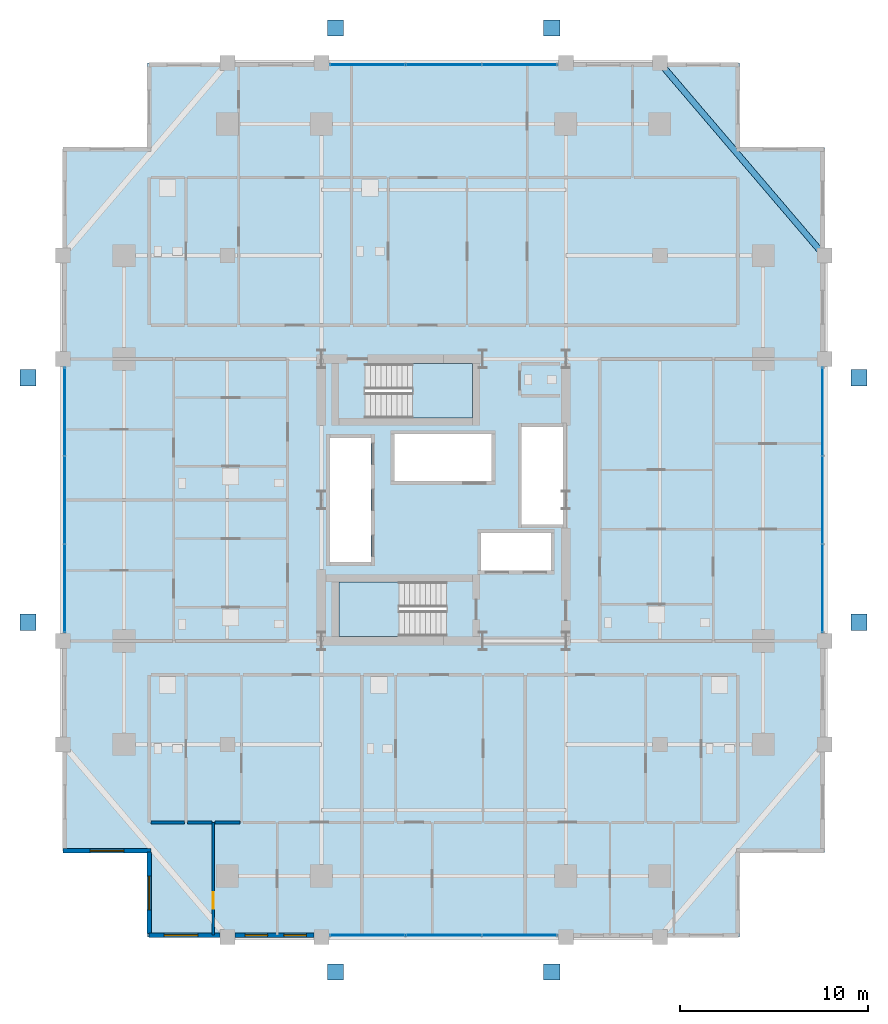
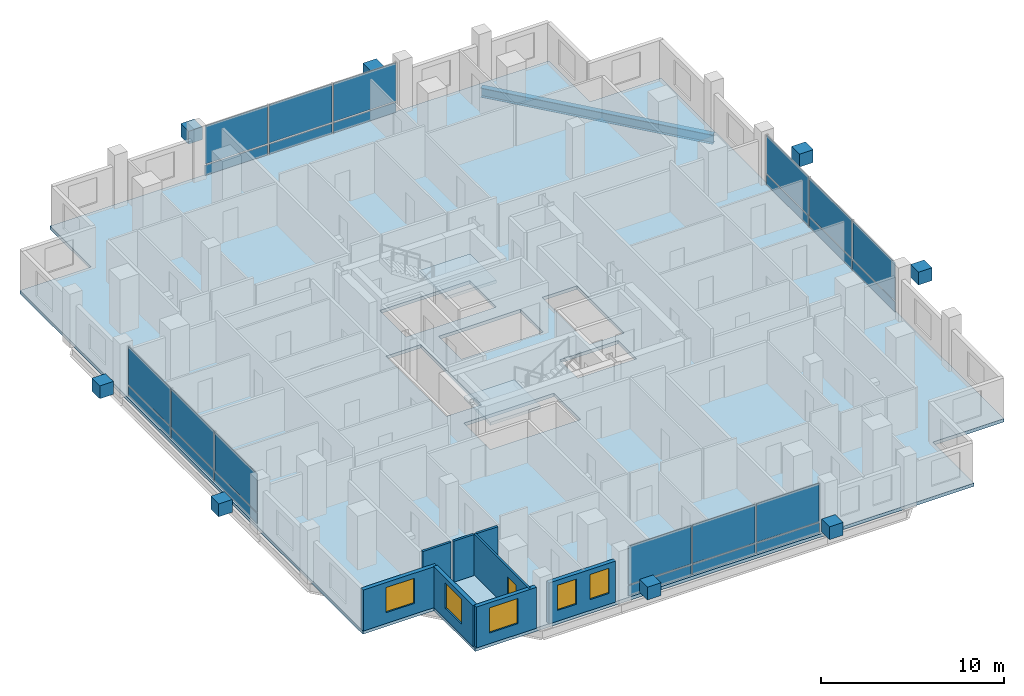
# One storey, part 13 of 20: 32 plates, 8 walls, 5 windows, 3 slabs, 1 beam, 1 door, 6 openings, 6 elements without a shape of their own.
"""IFC4 building model written with IfcOpenShell, lengths in metres."""

from ifc_helpers import new_model, si_unit, direction, frame, frame_2d, origin, origin_2d, place, context, subcontext, project, spatial, polyline, rectangle, i_section, outline, extrude, material, layer, layer_set, material_profile, profile_set, type_object, element, fill, aggregate, save


model = new_model("IFC4")

# Units and contexts
model_context = context("Model", 3, precision=1e-05, world=origin(), true_north=direction((0.0, 1.0)))
body_context = subcontext(model_context, "Body", "Model", "MODEL_VIEW")
ifc_project = project(units=[si_unit("LENGTHUNIT", "METRE"), si_unit("AREAUNIT", "SQUARE_METRE"), si_unit("VOLUMEUNIT", "CUBIC_METRE"), si_unit("PLANEANGLEUNIT", "RADIAN"), si_unit("MASSUNIT", "GRAM", prefix="KILO")], contexts=[model_context])

# Site, building, storey
site_placement = place(None, origin())
site = spatial("IfcSite", under=ifc_project, at=site_placement, CompositionType="ELEMENT")
building_placement = place(site_placement, origin())
building = spatial("IfcBuilding", under=site, at=building_placement, Name="Barlavira Tower and Art Museum", CompositionType="ELEMENT")
storey_placement = place(building_placement, frame((0.0, 0.0, 102.60009765625)))
storey = spatial("IfcBuildingStorey", under=building, at=storey_placement, Name="L25", CompositionType="ELEMENT", Elevation=102.60009765625)

# Beam
ifc_material_1 = material(Name="Steel S355", Category="steel")
ifc_material_profile = material_profile(ifc_material_1, i_section(OverallWidth=0.327880859375, OverallDepth=0.62890625, WebThickness=0.013916015625, FlangeThickness=0.021484375, at=origin_2d()), Name="W610x174.0")
ifc_profile_set = profile_set([ifc_material_profile], Name="Steel S355")
beam_type = type_object("IfcBeamType", Name="Perimeter Spandrel Edge Beam W610x174 Steel S355", PredefinedType="SPANDREL", material=ifc_profile_set)
beam_placement = place(storey_placement, frame((20.25, 13.0, -0.53466796875), z_axis=(-0.649262379928, 0.760564502202, 0.0), x_axis=(-0.760564502202, -0.649262379928, 0.0)))
element("IfcBeam", 1, at=beam_placement, inside=storey, type_object=beam_type, Name="L25 Spandrel 8", PredefinedType="SPANDREL", context=body_context, shape_type="SweptSolid", body=[
    extrude(i_section(OverallWidth=0.327880859375, OverallDepth=0.62890625, WebThickness=0.013916015625, FlangeThickness=0.021484375, at=origin_2d()), origin(), (0.0, 0.0, 1.0), 13.476806640625),
])

# Curtain wall, plates
ifc_material_2 = material(Name="Low-iron coastal laminated glass", Category="glass")
ifc_layer_1 = layer(ifc_material_2, 0.18994140625, Name="Low-iron coastal laminated glass")
ifc_layer_set_1 = layer_set([ifc_layer_1], Name="Low-iron coastal laminated glass")
curtain_wall_type = type_object("IfcCurtainWallType", Name="Pale-Metal Unitised Curtain Wall Zone 2", PredefinedType="NOTDEFINED", material=ifc_layer_set_1)
curtain_wall_1_placement = place(storey_placement, origin())
curtain_wall_1 = element("IfcCurtainWall", 2, at=curtain_wall_1_placement, inside=storey, type_object=curtain_wall_type, Name="L25 Curtain Wall CW2-L25-S-B3", PredefinedType="NOTDEFINED")
ifc_material_3 = material(Name="Pale anodised aluminium", Category="aluminium")
ifc_layer_2 = layer(ifc_material_3, 0.044921875, Name="Pale anodised aluminium")
ifc_layer_set_2 = layer_set([ifc_layer_2], Name="Pale anodised aluminium")
plate_type_1 = type_object("IfcPlateType", Name="Curtain Wall Pale-Metal Spandrel Panel 45", PredefinedType="CURTAIN_PANEL", material=ifc_layer_set_2)
plate_1_placement = place(storey_placement, frame((-4.05322265625, -23.14990234375, 0.039794921875), z_axis=(0.0, 0.0, 1.0), x_axis=(1.0, 0.0, 0.0)))
plate_1 = element("IfcPlate", 3, at=plate_1_placement, type_object=plate_type_1, Name="CW2-L25-S-B3 Spandrel Panel 0", PredefinedType="CURTAIN_PANEL", context=body_context, shape_type="SweptSolid", body=[
    extrude(rectangle(XDim=3.953369140625, YDim=0.044921875, at=origin_2d()), origin(), (0.0, 0.0, 1.0), 0.6640625),
])
plate_2_placement = place(storey_placement, frame((0.0, -23.14990234375, 0.039794921875), z_axis=(0.0, 0.0, 1.0), x_axis=(1.0, 0.0, 0.0)))
plate_2 = element("IfcPlate", 4, at=plate_2_placement, type_object=plate_type_1, Name="CW2-L25-S-B3 Spandrel Panel 1", PredefinedType="CURTAIN_PANEL", context=body_context, shape_type="SweptSolid", body=[
    extrude(rectangle(XDim=3.953369140625, YDim=0.044921875, at=origin_2d()), origin(), (0.0, 0.0, 1.0), 0.6640625),
])
plate_3_placement = place(storey_placement, frame((4.05322265625, -23.14990234375, 0.039794921875), z_axis=(0.0, 0.0, 1.0), x_axis=(1.0, 0.0, 0.0)))
plate_3 = element("IfcPlate", 5, at=plate_3_placement, type_object=plate_type_1, Name="CW2-L25-S-B3 Spandrel Panel 2", PredefinedType="CURTAIN_PANEL", context=body_context, shape_type="SweptSolid", body=[
    extrude(rectangle(XDim=3.953369140625, YDim=0.044921875, at=origin_2d()), origin(), (0.0, 0.0, 1.0), 0.6640625),
])

curtain_wall_2_placement = place(storey_placement, origin())
curtain_wall_2 = element("IfcCurtainWall", 6, at=curtain_wall_2_placement, inside=storey, type_object=curtain_wall_type, Name="L25 Curtain Wall CW2-L25-N-B3", PredefinedType="NOTDEFINED")
plate_4_placement = place(storey_placement, frame((4.05322265625, 23.14990234375, 0.039794921875), z_axis=(0.0, 0.0, 1.0), x_axis=(-1.0, 0.0, 0.0)))
plate_4 = element("IfcPlate", 7, at=plate_4_placement, type_object=plate_type_1, Name="CW2-L25-N-B3 Spandrel Panel 0", PredefinedType="CURTAIN_PANEL", context=body_context, shape_type="SweptSolid", body=[
    extrude(rectangle(XDim=3.953369140625, YDim=0.044921875, at=origin_2d()), origin(), (0.0, 0.0, 1.0), 0.6640625),
])
plate_5_placement = place(storey_placement, frame((0.0, 23.14990234375, 0.039794921875), z_axis=(0.0, 0.0, 1.0), x_axis=(-1.0, 0.0, 0.0)))
plate_5 = element("IfcPlate", 8, at=plate_5_placement, type_object=plate_type_1, Name="CW2-L25-N-B3 Spandrel Panel 1", PredefinedType="CURTAIN_PANEL", context=body_context, shape_type="SweptSolid", body=[
    extrude(rectangle(XDim=3.953369140625, YDim=0.044921875, at=origin_2d()), origin(), (0.0, 0.0, 1.0), 0.6640625),
])
plate_6_placement = place(storey_placement, frame((-4.05322265625, 23.14990234375, 0.039794921875), z_axis=(0.0, 0.0, 1.0), x_axis=(-1.0, 0.0, 0.0)))
plate_6 = element("IfcPlate", 9, at=plate_6_placement, type_object=plate_type_1, Name="CW2-L25-N-B3 Spandrel Panel 2", PredefinedType="CURTAIN_PANEL", context=body_context, shape_type="SweptSolid", body=[
    extrude(rectangle(XDim=3.953369140625, YDim=0.044921875, at=origin_2d()), origin(), (0.0, 0.0, 1.0), 0.6640625),
])

curtain_wall_3_placement = place(storey_placement, origin())
curtain_wall_3 = element("IfcCurtainWall", 10, at=curtain_wall_3_placement, inside=storey, type_object=curtain_wall_type, Name="L25 Curtain Wall CW2-L25-W-B3", PredefinedType="NOTDEFINED")
plate_7_placement = place(storey_placement, frame((-20.14990234375, 4.719970703125, 0.039794921875), z_axis=(0.0, 0.0, 1.0), x_axis=(0.0, -1.0, 0.0)))
plate_7 = element("IfcPlate", 11, at=plate_7_placement, type_object=plate_type_1, Name="CW2-L25-W-B3 Spandrel Panel 0", PredefinedType="CURTAIN_PANEL", context=body_context, shape_type="SweptSolid", body=[
    extrude(rectangle(XDim=4.6201171875, YDim=0.044921875, at=origin_2d()), origin(), (0.0, 0.0, 1.0), 0.6640625),
])
plate_8_placement = place(storey_placement, frame((-20.14990234375, 0.0, 0.039794921875), z_axis=(0.0, 0.0, 1.0), x_axis=(0.0, -1.0, 0.0)))
plate_8 = element("IfcPlate", 12, at=plate_8_placement, type_object=plate_type_1, Name="CW2-L25-W-B3 Spandrel Panel 1", PredefinedType="CURTAIN_PANEL", context=body_context, shape_type="SweptSolid", body=[
    extrude(rectangle(XDim=4.6201171875, YDim=0.044921875, at=origin_2d()), origin(), (0.0, 0.0, 1.0), 0.6640625),
])
plate_9_placement = place(storey_placement, frame((-20.14990234375, -4.719970703125, 0.039794921875), z_axis=(0.0, 0.0, 1.0), x_axis=(0.0, -1.0, 0.0)))
plate_9 = element("IfcPlate", 13, at=plate_9_placement, type_object=plate_type_1, Name="CW2-L25-W-B3 Spandrel Panel 2", PredefinedType="CURTAIN_PANEL", context=body_context, shape_type="SweptSolid", body=[
    extrude(rectangle(XDim=4.6201171875, YDim=0.044921875, at=origin_2d()), origin(), (0.0, 0.0, 1.0), 0.6640625),
])

curtain_wall_4_placement = place(storey_placement, origin())
curtain_wall_4 = element("IfcCurtainWall", 14, at=curtain_wall_4_placement, inside=storey, type_object=curtain_wall_type, Name="L25 Curtain Wall CW2-L25-E-B3", PredefinedType="NOTDEFINED")
plate_10_placement = place(storey_placement, frame((20.14990234375, -4.719970703125, 0.039794921875), z_axis=(0.0, 0.0, 1.0), x_axis=(0.0, 1.0, 0.0)))
plate_10 = element("IfcPlate", 15, at=plate_10_placement, type_object=plate_type_1, Name="CW2-L25-E-B3 Spandrel Panel 0", PredefinedType="CURTAIN_PANEL", context=body_context, shape_type="SweptSolid", body=[
    extrude(rectangle(XDim=4.6201171875, YDim=0.044921875, at=origin_2d()), origin(), (0.0, 0.0, 1.0), 0.6640625),
])
plate_11_placement = place(storey_placement, frame((20.14990234375, 0.0, 0.039794921875), z_axis=(0.0, 0.0, 1.0), x_axis=(0.0, 1.0, 0.0)))
plate_11 = element("IfcPlate", 16, at=plate_11_placement, type_object=plate_type_1, Name="CW2-L25-E-B3 Spandrel Panel 1", PredefinedType="CURTAIN_PANEL", context=body_context, shape_type="SweptSolid", body=[
    extrude(rectangle(XDim=4.6201171875, YDim=0.044921875, at=origin_2d()), origin(), (0.0, 0.0, 1.0), 0.6640625),
])
plate_12_placement = place(storey_placement, frame((20.14990234375, 4.719970703125, 0.039794921875), z_axis=(0.0, 0.0, 1.0), x_axis=(0.0, 1.0, 0.0)))
plate_12 = element("IfcPlate", 17, at=plate_12_placement, type_object=plate_type_1, Name="CW2-L25-E-B3 Spandrel Panel 2", PredefinedType="CURTAIN_PANEL", context=body_context, shape_type="SweptSolid", body=[
    extrude(rectangle(XDim=4.6201171875, YDim=0.044921875, at=origin_2d()), origin(), (0.0, 0.0, 1.0), 0.6640625),
])

# Plate
ifc_layer_3 = layer(ifc_material_2, 0.028076171875, Name="Low-iron coastal laminated glass")
ifc_layer_set_3 = layer_set([ifc_layer_3], Name="Low-iron coastal laminated glass")
plate_type_2 = type_object("IfcPlateType", Name="Curtain Wall Vision Glazing Panel 28", PredefinedType="CURTAIN_PANEL", material=ifc_layer_set_3)
plate_13_placement = place(storey_placement, frame((-4.05322265625, -23.14990234375, 0.7841796875), z_axis=(0.0, 0.0, 1.0), x_axis=(1.0, 0.0, 0.0)))
plate_13 = element("IfcPlate", 18, at=plate_13_placement, type_object=plate_type_2, Name="CW2-L25-S-B3 Vision Glass Panel 0", PredefinedType="CURTAIN_PANEL", context=body_context, shape_type="SweptSolid", body=[
    extrude(rectangle(XDim=3.953369140625, YDim=0.028076171875, at=origin_2d()), origin(), (0.0, 0.0, 1.0), 2.555908203125),
])

plate_14_placement = place(storey_placement, frame((0.0, -23.14990234375, 0.7841796875), z_axis=(0.0, 0.0, 1.0), x_axis=(1.0, 0.0, 0.0)))
plate_14 = element("IfcPlate", 19, at=plate_14_placement, type_object=plate_type_2, Name="CW2-L25-S-B3 Vision Glass Panel 1", PredefinedType="CURTAIN_PANEL", context=body_context, shape_type="SweptSolid", body=[
    extrude(rectangle(XDim=3.953369140625, YDim=0.028076171875, at=origin_2d()), origin(), (0.0, 0.0, 1.0), 2.555908203125),
])

plate_15_placement = place(storey_placement, frame((4.05322265625, -23.14990234375, 0.7841796875), z_axis=(0.0, 0.0, 1.0), x_axis=(1.0, 0.0, 0.0)))
plate_15 = element("IfcPlate", 20, at=plate_15_placement, type_object=plate_type_2, Name="CW2-L25-S-B3 Vision Glass Panel 2", PredefinedType="CURTAIN_PANEL", context=body_context, shape_type="SweptSolid", body=[
    extrude(rectangle(XDim=3.953369140625, YDim=0.028076171875, at=origin_2d()), origin(), (0.0, 0.0, 1.0), 2.555908203125),
])

aggregate(curtain_wall_1, [plate_1, plate_13, plate_2, plate_14, plate_3, plate_15])

plate_16_placement = place(storey_placement, frame((4.05322265625, 23.14990234375, 0.7841796875), z_axis=(0.0, 0.0, 1.0), x_axis=(-1.0, 0.0, 0.0)))
plate_16 = element("IfcPlate", 21, at=plate_16_placement, type_object=plate_type_2, Name="CW2-L25-N-B3 Vision Glass Panel 0", PredefinedType="CURTAIN_PANEL", context=body_context, shape_type="SweptSolid", body=[
    extrude(rectangle(XDim=3.953369140625, YDim=0.028076171875, at=origin_2d()), origin(), (0.0, 0.0, 1.0), 2.555908203125),
])

plate_17_placement = place(storey_placement, frame((0.0, 23.14990234375, 0.7841796875), z_axis=(0.0, 0.0, 1.0), x_axis=(-1.0, 0.0, 0.0)))
plate_17 = element("IfcPlate", 22, at=plate_17_placement, type_object=plate_type_2, Name="CW2-L25-N-B3 Vision Glass Panel 1", PredefinedType="CURTAIN_PANEL", context=body_context, shape_type="SweptSolid", body=[
    extrude(rectangle(XDim=3.953369140625, YDim=0.028076171875, at=origin_2d()), origin(), (0.0, 0.0, 1.0), 2.555908203125),
])

plate_18_placement = place(storey_placement, frame((-4.05322265625, 23.14990234375, 0.7841796875), z_axis=(0.0, 0.0, 1.0), x_axis=(-1.0, 0.0, 0.0)))
plate_18 = element("IfcPlate", 23, at=plate_18_placement, type_object=plate_type_2, Name="CW2-L25-N-B3 Vision Glass Panel 2", PredefinedType="CURTAIN_PANEL", context=body_context, shape_type="SweptSolid", body=[
    extrude(rectangle(XDim=3.953369140625, YDim=0.028076171875, at=origin_2d()), origin(), (0.0, 0.0, 1.0), 2.555908203125),
])

aggregate(curtain_wall_2, [plate_4, plate_16, plate_5, plate_17, plate_6, plate_18])

plate_19_placement = place(storey_placement, frame((-20.14990234375, 4.719970703125, 0.7841796875), z_axis=(0.0, 0.0, 1.0), x_axis=(0.0, -1.0, 0.0)))
plate_19 = element("IfcPlate", 24, at=plate_19_placement, type_object=plate_type_2, Name="CW2-L25-W-B3 Vision Glass Panel 0", PredefinedType="CURTAIN_PANEL", context=body_context, shape_type="SweptSolid", body=[
    extrude(rectangle(XDim=4.6201171875, YDim=0.028076171875, at=origin_2d()), origin(), (0.0, 0.0, 1.0), 2.555908203125),
])

plate_20_placement = place(storey_placement, frame((-20.14990234375, 0.0, 0.7841796875), z_axis=(0.0, 0.0, 1.0), x_axis=(0.0, -1.0, 0.0)))
plate_20 = element("IfcPlate", 25, at=plate_20_placement, type_object=plate_type_2, Name="CW2-L25-W-B3 Vision Glass Panel 1", PredefinedType="CURTAIN_PANEL", context=body_context, shape_type="SweptSolid", body=[
    extrude(rectangle(XDim=4.6201171875, YDim=0.028076171875, at=origin_2d()), origin(), (0.0, 0.0, 1.0), 2.555908203125),
])

plate_21_placement = place(storey_placement, frame((-20.14990234375, -4.719970703125, 0.7841796875), z_axis=(0.0, 0.0, 1.0), x_axis=(0.0, -1.0, 0.0)))
plate_21 = element("IfcPlate", 26, at=plate_21_placement, type_object=plate_type_2, Name="CW2-L25-W-B3 Vision Glass Panel 2", PredefinedType="CURTAIN_PANEL", context=body_context, shape_type="SweptSolid", body=[
    extrude(rectangle(XDim=4.6201171875, YDim=0.028076171875, at=origin_2d()), origin(), (0.0, 0.0, 1.0), 2.555908203125),
])

aggregate(curtain_wall_3, [plate_7, plate_19, plate_8, plate_20, plate_9, plate_21])

plate_22_placement = place(storey_placement, frame((20.14990234375, -4.719970703125, 0.7841796875), z_axis=(0.0, 0.0, 1.0), x_axis=(0.0, 1.0, 0.0)))
plate_22 = element("IfcPlate", 27, at=plate_22_placement, type_object=plate_type_2, Name="CW2-L25-E-B3 Vision Glass Panel 0", PredefinedType="CURTAIN_PANEL", context=body_context, shape_type="SweptSolid", body=[
    extrude(rectangle(XDim=4.6201171875, YDim=0.028076171875, at=origin_2d()), origin(), (0.0, 0.0, 1.0), 2.555908203125),
])

plate_23_placement = place(storey_placement, frame((20.14990234375, 0.0, 0.7841796875), z_axis=(0.0, 0.0, 1.0), x_axis=(0.0, 1.0, 0.0)))
plate_23 = element("IfcPlate", 28, at=plate_23_placement, type_object=plate_type_2, Name="CW2-L25-E-B3 Vision Glass Panel 1", PredefinedType="CURTAIN_PANEL", context=body_context, shape_type="SweptSolid", body=[
    extrude(rectangle(XDim=4.6201171875, YDim=0.028076171875, at=origin_2d()), origin(), (0.0, 0.0, 1.0), 2.555908203125),
])

plate_24_placement = place(storey_placement, frame((20.14990234375, 4.719970703125, 0.7841796875), z_axis=(0.0, 0.0, 1.0), x_axis=(0.0, 1.0, 0.0)))
plate_24 = element("IfcPlate", 29, at=plate_24_placement, type_object=plate_type_2, Name="CW2-L25-E-B3 Vision Glass Panel 2", PredefinedType="CURTAIN_PANEL", context=body_context, shape_type="SweptSolid", body=[
    extrude(rectangle(XDim=4.6201171875, YDim=0.028076171875, at=origin_2d()), origin(), (0.0, 0.0, 1.0), 2.555908203125),
])

aggregate(curtain_wall_4, [plate_10, plate_22, plate_11, plate_23, plate_12, plate_24])

# Plates
ifc_layer_4 = layer(ifc_material_1, 0.860107421875, Name="Steel S355")
ifc_layer_set_4 = layer_set([ifc_layer_4], Name="Steel S355")
plate_type_3 = type_object("IfcPlateType", Name="Exoskeleton Solid Steel Node Cap Plate Assembly Type 2 Steel S355", PredefinedType="USERDEFINED", material=ifc_layer_set_4)
for number, where, z_axis, x_axis, name in (
    (30, (-5.75, -25.10009765625, 1.25), (0.0, 0.0, 1.0), (1.0, 0.0, 0.0), "Exoskeleton Diamond Node S1 ND-L25-0252"),
    (31, (5.75, -25.10009765625, 1.25), (0.0, 0.0, 1.0), (1.0, 0.0, 0.0), "Exoskeleton Diamond Node S2 ND-L25-0253"),
    (32, (-5.75, 25.10009765625, 1.25), (0.0, 0.0, 1.0), (1.0, 0.0, 0.0), "Exoskeleton Diamond Node N1 ND-L25-0260"),
    (33, (5.75, 25.10009765625, 1.25), (0.0, 0.0, 1.0), (1.0, 0.0, 0.0), "Exoskeleton Diamond Node N2 ND-L25-0261"),
    (34, (-22.10009765625, -6.5, 1.25), (0.0, 0.0, 1.0), (1.0, 0.0, 0.0), "Exoskeleton Diamond Node W1 ND-L25-0268"),
    (35, (-22.10009765625, 6.5, 1.25), (0.0, 0.0, 1.0), (1.0, 0.0, 0.0), "Exoskeleton Diamond Node W2 ND-L25-0269"),
    (36, (22.10009765625, -6.5, 1.25), (0.0, 0.0, 1.0), (1.0, 0.0, 0.0), "Exoskeleton Diamond Node E1 ND-L25-0276"),
    (37, (22.10009765625, 6.5, 1.25), (0.0, 0.0, 1.0), (1.0, 0.0, 0.0), "Exoskeleton Diamond Node E2 ND-L25-0277"),
):
    element("IfcPlate", number, at=place(storey_placement, frame(where, z_axis=z_axis, x_axis=x_axis)), inside=storey, type_object=plate_type_3, Name=name, ObjectType="FLANGE_PLATE", PredefinedType="USERDEFINED", context=body_context, shape_type="SweptSolid", body=[
        extrude(rectangle(XDim=0.860107421875, YDim=0.860107421875, at=origin_2d()), origin(), (0.0, 0.0, 1.0), 0.860107421875),
    ])

# Stair, slab
ifc_material_4 = material(Name="Concrete C45", Category="concrete")
stair_type_1 = type_object("IfcStairType", Name="Tower North Dog-Leg Exit Stair Assembly Concrete C45", PredefinedType="TWO_QUARTER_TURN_STAIR", material=ifc_material_4)
stair_1_placement = place(storey_placement, origin())
stair_1 = element("IfcStair", 38, at=stair_1_placement, inside=storey, type_object=stair_type_1, Name="L25 Tower North Exit Stair ST-T2", PredefinedType="TWO_QUARTER_TURN_STAIR")
ifc_layer_5 = layer(ifc_material_4, 0.199951171875, Name="Concrete C45")
ifc_layer_set_5 = layer_set([ifc_layer_5], Name="Concrete C45")
slab_type_1 = type_object("IfcSlabType", Name="Tower North Dog-Leg Exit Stair Half-Landing Slab 200 Concrete C45", PredefinedType="LANDING", material=ifc_layer_set_5)
slab_1_placement = place(storey_placement, frame((0.0, 0.0, 1.599853515625)))
slab_1 = element("IfcSlab", 39, at=slab_1_placement, type_object=slab_type_1, Name="ST-T2 landing 1", PredefinedType="LANDING", context=body_context, shape_type="SweptSolid", body=[
    extrude(outline(polyline([(-1.64990234375, 4.35009765625), (1.530029296875, 4.35009765625), (1.530029296875, 7.25), (-1.64990234375, 7.25), (-1.64990234375, 4.35009765625)])), origin(), (0.0, 0.0, 1.0), 0.199951171875),
])
aggregate(stair_1, [slab_1])

stair_type_2 = type_object("IfcStairType", Name="Tower South Dog-Leg Exit Stair Assembly Concrete C45", PredefinedType="TWO_QUARTER_TURN_STAIR", material=ifc_material_4)
stair_2_placement = place(storey_placement, origin())
stair_2 = element("IfcStair", 40, at=stair_2_placement, inside=storey, type_object=stair_type_2, Name="L25 Tower South Exit Stair ST-T1", PredefinedType="TWO_QUARTER_TURN_STAIR")
ifc_layer_6 = layer(ifc_material_4, 0.199951171875, Name="Concrete C45")
ifc_layer_set_6 = layer_set([ifc_layer_6], Name="Concrete C45")
slab_type_2 = type_object("IfcSlabType", Name="Tower South Dog-Leg Exit Stair Half-Landing Slab 200 Concrete C45", PredefinedType="LANDING", material=ifc_layer_set_6)
slab_2_placement = place(storey_placement, frame((0.0, 0.0, 1.599853515625)))
slab_2 = element("IfcSlab", 41, at=slab_2_placement, type_object=slab_type_2, Name="ST-T1 landing 1", PredefinedType="LANDING", context=body_context, shape_type="SweptSolid", body=[
    extrude(outline(polyline([(-2.3701171875, -4.35009765625), (-5.550048828125, -4.35009765625), (-5.550048828125, -7.25), (-2.3701171875, -7.25), (-2.3701171875, -4.35009765625)])), origin(), (0.0, 0.0, 1.0), 0.199951171875),
])
aggregate(stair_2, [slab_2])

# Slab
ifc_material_5 = material(Name="Concrete C50", Category="concrete")
ifc_layer_7 = layer(ifc_material_5, 0.2099609375, Name="Concrete C50")
ifc_layer_set_7 = layer_set([ifc_layer_7], Name="Concrete C50")
slab_type_3 = type_object("IfcSlabType", Name="Zone 2 Residential Composite Slab 210 Concrete C50", PredefinedType="FLOOR", material=ifc_layer_set_7)
slab_3_placement = place(storey_placement, frame((0.0, 0.0, -0.22021484375)))
element("IfcSlab", 42, at=slab_3_placement, inside=storey, type_object=slab_type_3, Name="L25 Tower Floor Slab", PredefinedType="FLOOR", context=body_context, shape_type="SweptSolid", body=[
    extrude(outline(polyline([(-15.75, -23.25), (15.75, -23.25), (15.75, -18.75), (20.25, -18.75), (20.25, 18.75), (15.75, 18.75), (15.75, 23.25), (-15.75, 23.25), (-15.75, 18.75), (-20.25, 18.75), (-20.25, -18.75), (-15.75, -18.75), (-15.75, -23.25)]), holes=[polyline([(0.14990234375, -4.35009765625), (-5.550048828125, -4.35009765625), (-5.550048828125, -7.25), (0.14990234375, -7.25), (0.14990234375, -4.35009765625)]), polyline([(-4.169921875, 4.35009765625), (1.530029296875, 4.35009765625), (1.530029296875, 7.25), (-4.169921875, 7.25), (-4.169921875, 4.35009765625)]), polyline([(-6.050048828125, -3.31005859375), (-3.85009765625, -3.31005859375), (-3.85009765625, 3.31005859375), (-6.050048828125, 3.31005859375), (-6.050048828125, -3.31005859375)]), polyline([(4.14990234375, -1.2900390625), (6.35009765625, -1.2900390625), (6.35009765625, 3.889892578125), (4.14990234375, 3.889892578125), (4.14990234375, -1.2900390625)]), polyline([(-2.6201171875, 1.0), (2.56005859375, 1.0), (2.56005859375, 3.5), (-2.6201171875, 3.5), (-2.6201171875, 1.0)]), polyline([(2.0, -3.75), (5.699951171875, -3.75), (5.699951171875, -1.75), (2.0, -1.75), (2.0, -3.75)])]), origin(), (0.0, 0.0, 1.0), 0.22021484375),
])

# Wall, opening, door
ifc_material_6 = material(Name="Gypsum acoustic stud partition", Category="gypsum")
ifc_layer_8 = layer(ifc_material_6, 0.1201171875, Name="Gypsum acoustic stud partition")
ifc_layer_set_8 = layer_set([ifc_layer_8], Name="Gypsum acoustic stud partition")
wall_type_1 = type_object("IfcWallType", Name="Apartment Internal Acoustic Partition 120", PredefinedType="PARTITIONING", material=ifc_layer_set_8)
wall_1_placement = place(storey_placement, frame((-12.25, -23.14990234375, 0.0), z_axis=(0.0, 0.0, 1.0), x_axis=(0.0, 1.0, 0.0)))
wall_1 = element("IfcWall", 43, at=wall_1_placement, inside=storey, type_object=wall_type_1, Name="L25 Partition Wall 6", PredefinedType="PARTITIONING", context=body_context, shape_type="SweptSolid", body=[
    extrude(rectangle(XDim=6.0, YDim=0.1201171875, at=frame_2d((3.0, 0.0))), origin(), (0.0, 0.0, 1.0), 2.73583984375),
])
opening_1_placement = place(wall_1_placement, frame((1.39892578125, 0.0, 0.0)))
opening_1 = element("IfcOpeningElement", 44, at=opening_1_placement, cuts=wall_1, Name="Opening D-01", PredefinedType="OPENING", context=body_context, shape_type="SweptSolid", body=[
    extrude(rectangle(XDim=0.89990234375, YDim=2.10009765625, at=frame_2d((0.449951171875, 1.050048828125))), frame((0.0, 0.070068359375, 0.0), z_axis=(0.0, -1.0, 0.0), x_axis=(1.0, 0.0, 0.0)), (0.0, 0.0, 1.0), 0.14013671875),
])
ifc_material_7 = material(Name="Engineered coastal hardwood", Category="wood")
door_type = type_object("IfcDoorType", Name="Internal Bedroom Timber Flush Door 900x2100", OperationType="NOTDEFINED", PredefinedType="DOOR", material=ifc_material_7)
door_placement = place(opening_1_placement, origin())
door = element("IfcDoor", 45, at=door_placement, inside=storey, type_object=door_type, Name="Apartment S1 Bedroom 2 Door", OperationType="SINGLE_SWING_RIGHT", OverallHeight=2.10009765625, OverallWidth=0.89990234375, PredefinedType="DOOR", context=body_context, shape_type="SweptSolid", body=[
    extrude(rectangle(XDim=0.89990234375, YDim=2.10009765625, at=frame_2d((0.449951171875, 1.050048828125))), frame((0.0, 0.02490234375, 0.0), z_axis=(0.0, -1.0, 0.0), x_axis=(1.0, 0.0, 0.0)), (0.0, 0.0, 1.0), 0.050048828125),
])
fill(opening_1, door)

# Walls
ifc_layer_9 = layer(ifc_material_6, 0.139892578125, Name="Gypsum acoustic stud partition")
ifc_layer_set_9 = layer_set([ifc_layer_9], Name="Gypsum acoustic stud partition")
wall_type_2 = type_object("IfcWallType", Name="Moisture-Resistant Bathroom Partition 140", PredefinedType="PARTITIONING", material=ifc_layer_set_9)
wall_2_placement = place(storey_placement, frame((-15.570068359375, -17.14990234375, 0.0), z_axis=(0.0, 0.0, 1.0), x_axis=(1.0, 0.0, 0.0)))
element("IfcWall", 46, at=wall_2_placement, inside=storey, type_object=wall_type_2, Name="L25 Partition Wall 30", PredefinedType="PARTITIONING", context=body_context, shape_type="SweptSolid", body=[
    extrude(rectangle(XDim=1.7900390625, YDim=0.139892578125, at=frame_2d((0.89501953125, 0.0))), origin(), (0.0, 0.0, 1.0), 2.73583984375),
])
wall_3_placement = place(storey_placement, frame((-13.6201171875, -17.14990234375, 0.0), z_axis=(0.0, 0.0, 1.0), x_axis=(1.0, 0.0, 0.0)))
element("IfcWall", 47, at=wall_3_placement, inside=storey, type_object=wall_type_2, Name="L25 Partition Wall 31", PredefinedType="PARTITIONING", context=body_context, shape_type="SweptSolid", body=[
    extrude(rectangle(XDim=1.2900390625, YDim=0.139892578125, at=frame_2d((0.64501953125, 0.0))), origin(), (0.0, 0.0, 1.0), 2.73583984375),
])
wall_4_placement = place(storey_placement, frame((-12.169921875, -17.14990234375, 0.0), z_axis=(0.0, 0.0, 1.0), x_axis=(1.0, 0.0, 0.0)))
element("IfcWall", 48, at=wall_4_placement, inside=storey, type_object=wall_type_2, Name="L25 Partition Wall 32", PredefinedType="PARTITIONING", context=body_context, shape_type="SweptSolid", body=[
    extrude(rectangle(XDim=1.33984375, YDim=0.139892578125, at=frame_2d((0.669921875, 0.0))), origin(), (0.0, 0.0, 1.0), 2.73583984375),
])

# Wall, opening, window
ifc_material_8 = material(Name="Precast concrete C40", Category="concrete")
ifc_layer_10 = layer(ifc_material_8, 0.25, Name="Precast concrete C40")
ifc_layer_set_10 = layer_set([ifc_layer_10], Name="Precast concrete C40")
wall_type_3 = type_object("IfcWallType", Name="Notched Corner Spandrel Wall 250 Precast Concrete C40", PredefinedType="SOLIDWALL", material=ifc_layer_set_10)
wall_5_placement = place(storey_placement, frame((-15.675048828125, -23.14990234375, 0.0), z_axis=(0.0, 0.0, 1.0), x_axis=(1.0, 0.0, 0.0)))
wall_5 = element("IfcWall", 49, at=wall_5_placement, inside=storey, type_object=wall_type_3, Name="L25 Coastal Facade Pier Wall CW2-L25-S-1", PredefinedType="SOLIDWALL", context=body_context, shape_type="SweptSolid", body=[
    extrude(rectangle(XDim=3.780029296875, YDim=0.25, at=frame_2d((1.89013671875, 0.0))), origin(), (0.0, 0.0, 1.0), 2.73583984375),
])
opening_2_placement = place(wall_5_placement, frame((0.80810546875, 0.0, 0.719970703125)))
opening_2 = element("IfcOpeningElement", 50, at=opening_2_placement, cuts=wall_5, Name="Opening WN-01", PredefinedType="OPENING", context=body_context, shape_type="SweptSolid", body=[
    extrude(rectangle(XDim=1.800048828125, YDim=1.679931640625, at=frame_2d((0.89990234375, 0.83984375))), frame((0.0, 0.135009765625, 0.0), z_axis=(0.0, -1.0, 0.0), x_axis=(1.0, 0.0, 0.0)), (0.0, 0.0, 1.0), 0.27001953125),
])
window_type_1 = type_object("IfcWindowType", Name="Recessed Notch Corner Punch Window 1800x1680", PartitioningType="SINGLE_PANEL", PredefinedType="WINDOW", material=ifc_material_2)
window_1_placement = place(opening_2_placement, origin())
window_1 = element("IfcWindow", 51, at=window_1_placement, inside=storey, type_object=window_type_1, Name="L25 Punched Facade Window EWP-CW2-L25-S-1-1", OverallHeight=1.679931640625, OverallWidth=1.800048828125, PartitioningType="SINGLE_PANEL", PredefinedType="WINDOW", context=body_context, shape_type="SweptSolid", body=[
    extrude(rectangle(XDim=1.800048828125, YDim=1.679931640625, at=frame_2d((0.89990234375, 0.83984375))), frame((0.0, 0.030029296875, 0.0), z_axis=(0.0, -1.0, 0.0), x_axis=(1.0, 0.0, 0.0)), (0.0, 0.0, 1.0), 0.06005859375),
])
fill(opening_2, window_1)

# Wall, openings, windows
wall_6_placement = place(storey_placement, frame((-11.10498046875, -23.14990234375, 0.0), z_axis=(0.0, 0.0, 1.0), x_axis=(1.0, 0.0, 0.0)))
wall_6 = element("IfcWall", 52, at=wall_6_placement, inside=storey, type_object=wall_type_3, Name="L25 Coastal Facade Pier Wall CW2-L25-S-2", PredefinedType="SOLIDWALL", context=body_context, shape_type="SweptSolid", body=[
    extrude(rectangle(XDim=4.2099609375, YDim=0.25, at=frame_2d((2.10498046875, 0.0))), origin(), (0.0, 0.0, 1.0), 2.73583984375),
])
opening_3_placement = place(wall_6_placement, frame((0.544921875, 0.0, 0.719970703125)))
opening_3 = element("IfcOpeningElement", 53, at=opening_3_placement, cuts=wall_6, Name="Opening WN-05", PredefinedType="OPENING", context=body_context, shape_type="SweptSolid", body=[
    extrude(rectangle(XDim=1.199951171875, YDim=1.679931640625, at=frame_2d((0.60009765625, 0.83984375))), frame((0.0, 0.135009765625, 0.0), z_axis=(0.0, -1.0, 0.0), x_axis=(1.0, 0.0, 0.0)), (0.0, 0.0, 1.0), 0.27001953125),
])
opening_4_placement = place(wall_6_placement, frame((2.60498046875, 0.0, 0.719970703125)))
opening_4 = element("IfcOpeningElement", 54, at=opening_4_placement, cuts=wall_6, Name="Opening WN-05", PredefinedType="OPENING", context=body_context, shape_type="SweptSolid", body=[
    extrude(rectangle(XDim=1.199951171875, YDim=1.679931640625, at=frame_2d((0.60009765625, 0.83984375))), frame((0.0, 0.135009765625, 0.0), z_axis=(0.0, -1.0, 0.0), x_axis=(1.0, 0.0, 0.0)), (0.0, 0.0, 1.0), 0.27001953125),
])
window_type_2 = type_object("IfcWindowType", Name="Recessed Flank Pier Punch Window 1200x1680", PartitioningType="SINGLE_PANEL", PredefinedType="WINDOW", material=ifc_material_2)
window_2_placement = place(opening_3_placement, origin())
window_2 = element("IfcWindow", 55, at=window_2_placement, inside=storey, type_object=window_type_2, Name="L25 Punched Facade Window EWP-CW2-L25-S-2-1", OverallHeight=1.679931640625, OverallWidth=1.199951171875, PartitioningType="SINGLE_PANEL", PredefinedType="WINDOW", context=body_context, shape_type="SweptSolid", body=[
    extrude(rectangle(XDim=1.199951171875, YDim=1.679931640625, at=frame_2d((0.60009765625, 0.83984375))), frame((0.0, 0.030029296875, 0.0), z_axis=(0.0, -1.0, 0.0), x_axis=(1.0, 0.0, 0.0)), (0.0, 0.0, 1.0), 0.06005859375),
])
fill(opening_3, window_2)
window_3_placement = place(opening_4_placement, origin())
window_3 = element("IfcWindow", 56, at=window_3_placement, inside=storey, type_object=window_type_2, Name="L25 Punched Facade Window EWP-CW2-L25-S-2-2", OverallHeight=1.679931640625, OverallWidth=1.199951171875, PartitioningType="SINGLE_PANEL", PredefinedType="WINDOW", context=body_context, shape_type="SweptSolid", body=[
    extrude(rectangle(XDim=1.199951171875, YDim=1.679931640625, at=frame_2d((0.60009765625, 0.83984375))), frame((0.0, 0.030029296875, 0.0), z_axis=(0.0, -1.0, 0.0), x_axis=(1.0, 0.0, 0.0)), (0.0, 0.0, 1.0), 0.06005859375),
])
fill(opening_4, window_3)

# Wall, opening, window
wall_7_placement = place(storey_placement, frame((-20.22998046875, -18.64990234375, 0.0), z_axis=(0.0, 0.0, 1.0), x_axis=(1.0, 0.0, 0.0)))
wall_7 = element("IfcWall", 57, at=wall_7_placement, inside=storey, type_object=wall_type_3, Name="L25 Notch Corner Wall SW1", PredefinedType="SOLIDWALL", context=body_context, shape_type="SweptSolid", body=[
    extrude(rectangle(XDim=4.659912109375, YDim=0.25, at=frame_2d((2.330078125, 0.0))), origin(), (0.0, 0.0, 1.0), 2.73583984375),
])
opening_5_placement = place(wall_7_placement, frame((1.429931640625, 0.0, 0.719970703125)))
opening_5 = element("IfcOpeningElement", 58, at=opening_5_placement, cuts=wall_7, Name="Opening WN-01", PredefinedType="OPENING", context=body_context, shape_type="SweptSolid", body=[
    extrude(rectangle(XDim=1.800048828125, YDim=1.679931640625, at=frame_2d((0.89990234375, 0.83984375))), frame((0.0, 0.135009765625, 0.0), z_axis=(0.0, -1.0, 0.0), x_axis=(1.0, 0.0, 0.0)), (0.0, 0.0, 1.0), 0.27001953125),
])
window_4_placement = place(opening_5_placement, origin())
window_4 = element("IfcWindow", 59, at=window_4_placement, inside=storey, type_object=window_type_1, Name="L25 Punched Facade Window EW-NTC-L25-SW1-1", OverallHeight=1.679931640625, OverallWidth=1.800048828125, PartitioningType="SINGLE_PANEL", PredefinedType="WINDOW", context=body_context, shape_type="SweptSolid", body=[
    extrude(rectangle(XDim=1.800048828125, YDim=1.679931640625, at=frame_2d((0.89990234375, 0.83984375))), frame((0.0, 0.030029296875, 0.0), z_axis=(0.0, -1.0, 0.0), x_axis=(1.0, 0.0, 0.0)), (0.0, 0.0, 1.0), 0.06005859375),
])
fill(opening_5, window_4)

wall_8_placement = place(storey_placement, frame((-15.64990234375, -18.72998046875, 0.0), z_axis=(0.0, 0.0, 1.0), x_axis=(0.0, -1.0, 0.0)))
wall_8 = element("IfcWall", 60, at=wall_8_placement, inside=storey, type_object=wall_type_3, Name="L25 Notch Corner Wall SW2", PredefinedType="SOLIDWALL", context=body_context, shape_type="SweptSolid", body=[
    extrude(rectangle(XDim=4.340087890625, YDim=0.25, at=frame_2d((2.169921875, 0.0))), origin(), (0.0, 0.0, 1.0), 2.73583984375),
])
opening_6_placement = place(wall_8_placement, frame((1.27001953125, 0.0, 0.719970703125)))
opening_6 = element("IfcOpeningElement", 61, at=opening_6_placement, cuts=wall_8, Name="Opening WN-01", PredefinedType="OPENING", context=body_context, shape_type="SweptSolid", body=[
    extrude(rectangle(XDim=1.800048828125, YDim=1.679931640625, at=frame_2d((0.89990234375, 0.83984375))), frame((0.0, 0.135009765625, 0.0), z_axis=(0.0, -1.0, 0.0), x_axis=(1.0, 0.0, 0.0)), (0.0, 0.0, 1.0), 0.27001953125),
])
window_5_placement = place(opening_6_placement, origin())
window_5 = element("IfcWindow", 62, at=window_5_placement, inside=storey, type_object=window_type_1, Name="L25 Punched Facade Window EW-NTC-L25-SW2-1", OverallHeight=1.679931640625, OverallWidth=1.800048828125, PartitioningType="SINGLE_PANEL", PredefinedType="WINDOW", context=body_context, shape_type="SweptSolid", body=[
    extrude(rectangle(XDim=1.800048828125, YDim=1.679931640625, at=frame_2d((0.89990234375, 0.83984375))), frame((0.0, 0.030029296875, 0.0), z_axis=(0.0, -1.0, 0.0), x_axis=(1.0, 0.0, 0.0)), (0.0, 0.0, 1.0), 0.06005859375),
])
fill(opening_6, window_5)

save(model, "model.ifc")
